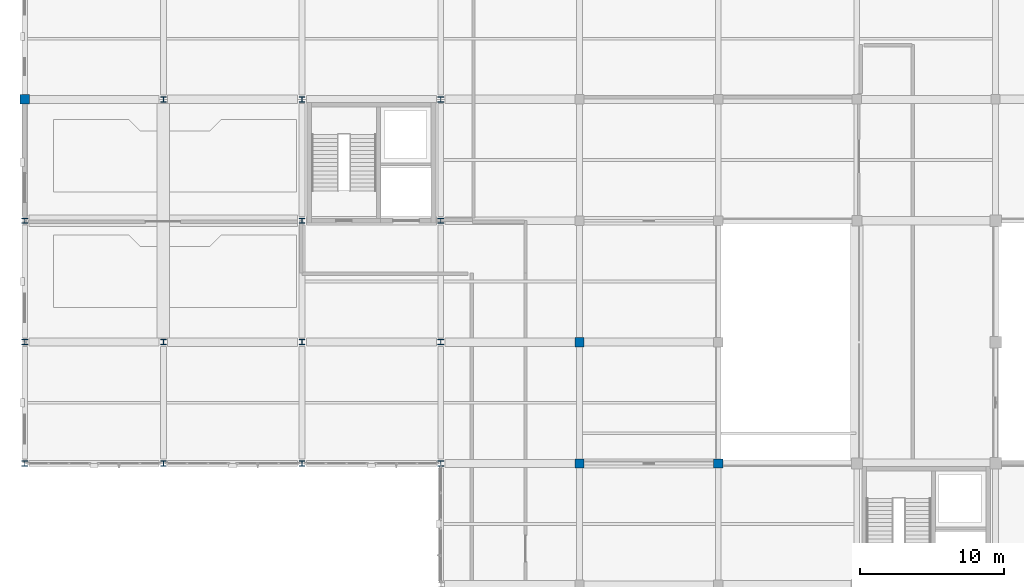
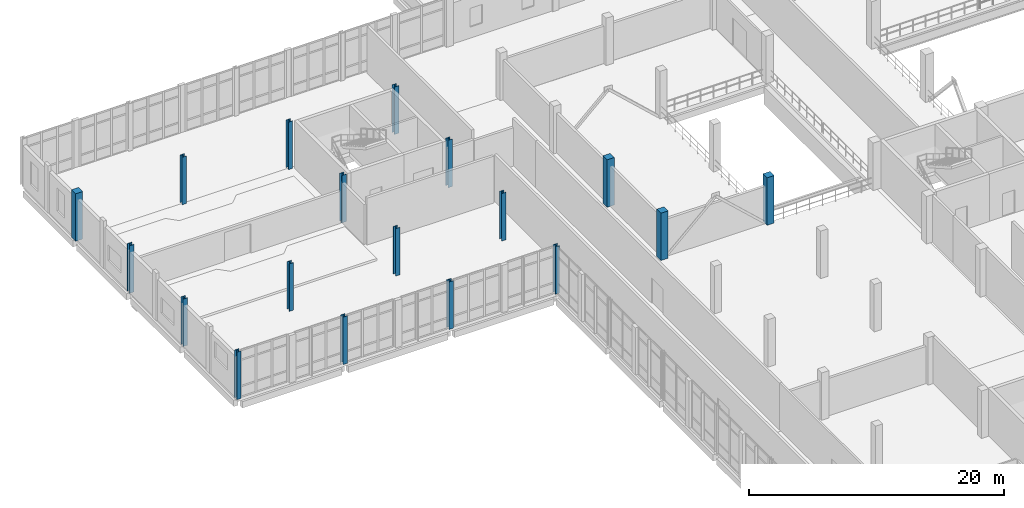
# One storey, part 9 of 102: 18 columns.
"""IFC4 building model written with IfcOpenShell, lengths in metres."""

from ifc_helpers import new_model, si_unit, direction, frame, origin, origin_2d, place, context, subcontext, project, spatial, rectangle, i_section, extrude, material, material_profile, profile_set, type_object, element, save


model = new_model("IFC4")

# Units and contexts
model_context = context("Model", 3, precision=1e-05, world=origin(), true_north=direction((0.0, 1.0)))
body_context = subcontext(model_context, "Body", "Model", "MODEL_VIEW")
ifc_project = project(units=[si_unit("LENGTHUNIT", "METRE"), si_unit("AREAUNIT", "SQUARE_METRE"), si_unit("VOLUMEUNIT", "CUBIC_METRE"), si_unit("PLANEANGLEUNIT", "RADIAN"), si_unit("MASSUNIT", "GRAM", prefix="KILO")], contexts=[model_context])

# Site, building, storey
site_placement = place(None, origin())
site = spatial("IfcSite", under=ifc_project, at=site_placement, CompositionType="ELEMENT")
building_placement = place(site_placement, origin())
building = spatial("IfcBuilding", under=site, at=building_placement, Name="Lornevale Opera House", CompositionType="ELEMENT")
storey_placement = place(building_placement, frame((0.0, 0.0, 5.39990234375)))
storey = spatial("IfcBuildingStorey", under=building, at=storey_placement, Name="L02", CompositionType="ELEMENT", Elevation=5.39990234375)

# Columns
ifc_material_1 = material(Name="Concrete 40 MPa (CSA A23.1 C-1)", Category="concrete")
ifc_material_profile_1 = material_profile(ifc_material_1, rectangle(XDim=0.64990234375, YDim=0.64990234375, at=origin_2d()), Name="RC650x650")
ifc_profile_set_1 = profile_set([ifc_material_profile_1], Name="Concrete 40 MPa (CSA A23.1 C-1)")
column_type_1 = type_object("IfcColumnType", Name="Concrete Column 650x650", PredefinedType="COLUMN", material=ifc_profile_set_1)
column_1_placement = place(storey_placement, frame((38.39990234375, 67.199951171875, 0.0), z_axis=(0.0, 0.0, 1.0), x_axis=(1.0, 0.0, 0.0)))
element("IfcColumn", 1, at=column_1_placement, inside=storey, type_object=column_type_1, Name="Concrete Column 650x650 0258", PredefinedType="COLUMN", context=body_context, shape_type="SweptSolid", body=[
    extrude(rectangle(XDim=0.64990234375, YDim=0.64990234375, at=origin_2d()), origin(), (0.0, 0.0, 1.0), 4.530029296875),
])
for number, where, z_axis, x_axis, name in (
    (2, (38.39990234375, 75.60009765625, 0.0), (0.0, 0.0, 1.0), (1.0, 0.0, 0.0), "Concrete Column 650x650 0263"),
    (3, (48.0, 67.199951171875, 0.0), (0.0, 0.0, 1.0), (1.0, 0.0, 0.0), "Concrete Column 650x650 0322"),
):
    element("IfcColumn", number, at=place(storey_placement, frame(where, z_axis=z_axis, x_axis=x_axis)), inside=storey, type_object=column_type_1, Name=name, PredefinedType="COLUMN", context=body_context, shape_type="SweptSolid", body=[
        extrude(rectangle(XDim=0.64990234375, YDim=0.64990234375, at=origin_2d()), origin(), (0.0, 0.0, 1.0), 4.5400390625),
    ])
ifc_material_2 = material(Name="Precast Concrete 40 MPa (CSA A23.1 C-1)", Category="concrete")
ifc_material_profile_2 = material_profile(ifc_material_2, rectangle(XDim=0.64990234375, YDim=0.64990234375, at=origin_2d()), Name="RC650x650")
ifc_profile_set_2 = profile_set([ifc_material_profile_2], Name="Precast Concrete 40 MPa (CSA A23.1 C-1)")
column_type_2 = type_object("IfcColumnType", Name="Postmodern Sandstone Pilaster 650x650", PredefinedType="PILASTER", material=ifc_profile_set_2)
column_2_placement = place(storey_placement, frame((0.0, 92.39990234375, 0.0), z_axis=(0.0, 0.0, 1.0), x_axis=(1.0, 0.0, 0.0)))
element("IfcColumn", 4, at=column_2_placement, inside=storey, type_object=column_type_2, Name="Postmodern Sandstone Pilaster 650x650 0047", PredefinedType="PILASTER", context=body_context, shape_type="SweptSolid", body=[
    extrude(rectangle(XDim=0.64990234375, YDim=0.64990234375, at=origin_2d()), origin(), (0.0, 0.0, 1.0), 4.5400390625),
])
ifc_material_3 = material(Name="Structural Steel CSA G40.21 Grade 350W (350 MPa)", Category="steel")
ifc_material_profile_3 = material_profile(ifc_material_3, i_section(OverallWidth=0.39404296875, OverallDepth=0.375, WebThickness=0.0205078125, FlangeThickness=0.032958984375, at=origin_2d()), Name="W360x216")
ifc_profile_set_3 = profile_set([ifc_material_profile_3], Name="Structural Steel CSA G40.21 Grade 350W (350 MPa)")
column_type_3 = type_object("IfcColumnType", Name="Steel Pavilion Column W360x216", PredefinedType="COLUMN", material=ifc_profile_set_3)
for number, where, z_axis, x_axis, name in (
    (5, (0.0, 67.199951171875, 0.0), (0.0, 0.0, 1.0), (1.0, 0.0, 0.0), "Steel Pavilion Column W360x216 0032"),
    (6, (0.0, 75.60009765625, 0.0), (0.0, 0.0, 1.0), (1.0, 0.0, 0.0), "Steel Pavilion Column W360x216 0037"),
    (7, (0.0, 84.0, 0.0), (0.0, 0.0, 1.0), (1.0, 0.0, 0.0), "Steel Pavilion Column W360x216 0042"),
    (8, (9.60009765625, 67.199951171875, 0.0), (0.0, 0.0, 1.0), (1.0, 0.0, 0.0), "Steel Pavilion Column W360x216 0082"),
    (9, (9.60009765625, 75.60009765625, 0.0), (0.0, 0.0, 1.0), (1.0, 0.0, 0.0), "Steel Pavilion Column W360x216 0087"),
    (10, (9.60009765625, 92.39990234375, 0.0), (0.0, 0.0, 1.0), (1.0, 0.0, 0.0), "Steel Pavilion Column W360x216 0094"),
    (11, (19.199951171875, 67.199951171875, 0.0), (0.0, 0.0, 1.0), (1.0, 0.0, 0.0), "Steel Pavilion Column W360x216 0132"),
    (12, (19.199951171875, 75.60009765625, 0.0), (0.0, 0.0, 1.0), (1.0, 0.0, 0.0), "Steel Pavilion Column W360x216 0137"),
    (13, (19.199951171875, 84.0, 0.0), (0.0, 0.0, 1.0), (1.0, 0.0, 0.0), "Steel Pavilion Column W360x216 0142"),
    (14, (19.199951171875, 92.39990234375, 0.0), (0.0, 0.0, 1.0), (1.0, 0.0, 0.0), "Steel Pavilion Column W360x216 0147"),
):
    element("IfcColumn", number, at=place(storey_placement, frame(where, z_axis=z_axis, x_axis=x_axis)), inside=storey, type_object=column_type_3, Name=name, PredefinedType="COLUMN", context=body_context, shape_type="SweptSolid", body=[
        extrude(i_section(OverallWidth=0.39404296875, OverallDepth=0.375, WebThickness=0.0205078125, FlangeThickness=0.032958984375, at=origin_2d()), origin(), (0.0, 0.0, 1.0), 4.5400390625),
    ])
column_3_placement = place(storey_placement, frame((28.800048828125, 67.199951171875, 0.0), z_axis=(0.0, 0.0, 1.0), x_axis=(1.0, 0.0, 0.0)))
element("IfcColumn", 15, at=column_3_placement, inside=storey, type_object=column_type_3, Name="Steel Pavilion Column W360x216 0193", PredefinedType="COLUMN", context=body_context, shape_type="SweptSolid", body=[
    extrude(i_section(OverallWidth=0.39404296875, OverallDepth=0.375, WebThickness=0.0205078125, FlangeThickness=0.032958984375, at=origin_2d()), origin(), (0.0, 0.0, 1.0), 4.530029296875),
])
for number, where, z_axis, x_axis, name in (
    (16, (28.800048828125, 75.60009765625, 0.0), (0.0, 0.0, 1.0), (1.0, 0.0, 0.0), "Steel Pavilion Column W360x216 0198"),
    (17, (28.800048828125, 84.0, 0.0), (0.0, 0.0, 1.0), (1.0, 0.0, 0.0), "Steel Pavilion Column W360x216 0203"),
    (18, (28.800048828125, 92.39990234375, 0.0), (0.0, 0.0, 1.0), (1.0, 0.0, 0.0), "Steel Pavilion Column W360x216 0208"),
):
    element("IfcColumn", number, at=place(storey_placement, frame(where, z_axis=z_axis, x_axis=x_axis)), inside=storey, type_object=column_type_3, Name=name, PredefinedType="COLUMN", context=body_context, shape_type="SweptSolid", body=[
        extrude(i_section(OverallWidth=0.39404296875, OverallDepth=0.375, WebThickness=0.0205078125, FlangeThickness=0.032958984375, at=origin_2d()), origin(), (0.0, 0.0, 1.0), 4.5400390625),
    ])

save(model, "model.ifc")
